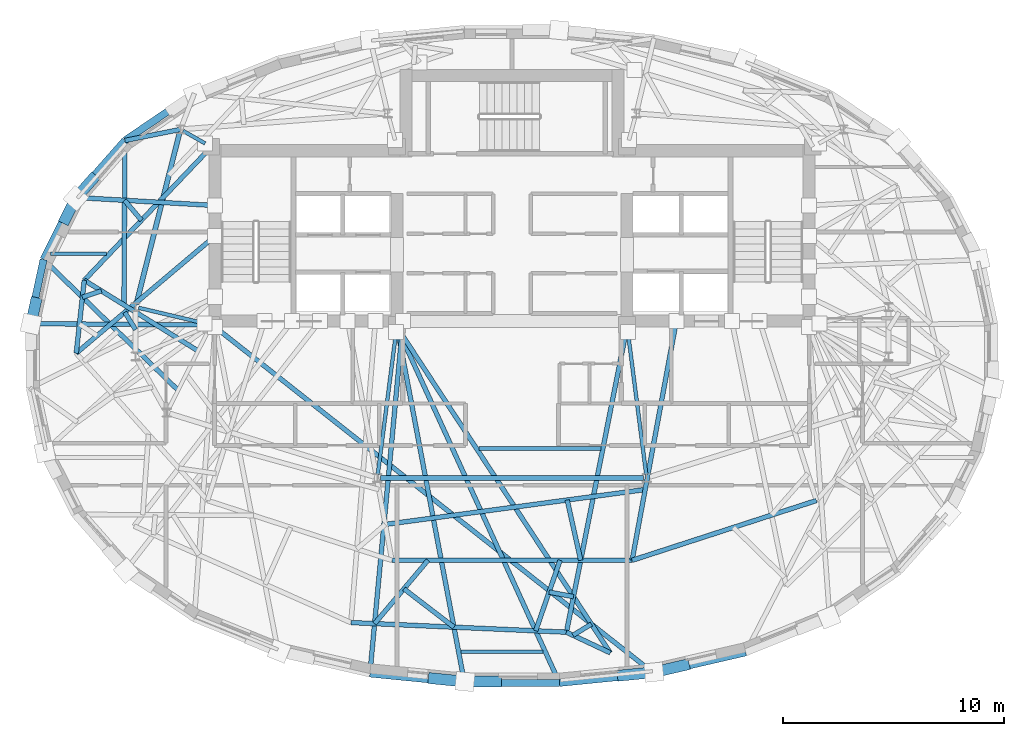
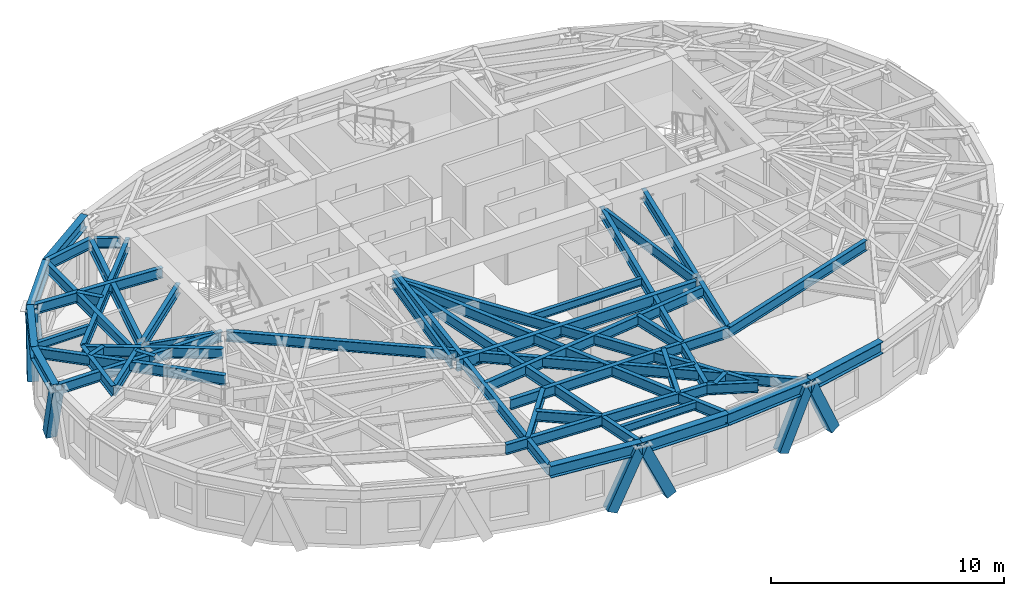
# One storey, part 2 of 13: 47 beams, 7 members.
"""IFC4 building model written with IfcOpenShell, lengths in metres."""

from ifc_helpers import new_model, si_unit, direction, frame, origin, origin_2d, place, context, subcontext, project, spatial, hollow_rectangle, i_section, extrude, material, material_profile, profile_set, type_object, element, save


model = new_model("IFC4")

# Units and contexts
model_context = context("Model", 3, precision=1e-05, world=origin(), true_north=direction((0.0, 1.0)))
body_context = subcontext(model_context, "Body", "Model", "MODEL_VIEW")
ifc_project = project(units=[si_unit("LENGTHUNIT", "METRE"), si_unit("AREAUNIT", "SQUARE_METRE"), si_unit("VOLUMEUNIT", "CUBIC_METRE"), si_unit("PLANEANGLEUNIT", "RADIAN"), si_unit("MASSUNIT", "GRAM", prefix="KILO")], contexts=[model_context])

# Site, building, storey
site_placement = place(None, origin())
site = spatial("IfcSite", under=ifc_project, at=site_placement, CompositionType="ELEMENT")
building_placement = place(site_placement, origin())
building = spatial("IfcBuilding", under=site, at=building_placement, Name="Keldmark Tower", CompositionType="ELEMENT")
storey_placement = place(building_placement, frame((0.0, 0.0, 241.5)))
storey = spatial("IfcBuildingStorey", under=building, at=storey_placement, Name="L68", CompositionType="ELEMENT", Elevation=241.5)

# Beams
ifc_material_1 = material(Name="Steel ASTM A992 Grade 50", Category="steel")
ifc_material_profile_1 = material_profile(ifc_material_1, i_section(OverallWidth=0.177978515625, OverallDepth=0.403076171875, WebThickness=0.007568359375, FlangeThickness=0.010986328125, at=origin_2d()), Name="W16X36")
ifc_profile_set_1 = profile_set([ifc_material_profile_1], Name="Steel ASTM A992 Grade 50")
beam_type_1 = type_object("IfcBeamType", Name="Composite Floor Joist W16X36", PredefinedType="JOIST", material=ifc_profile_set_1)
beam_1_placement = place(storey_placement, frame((-2.3173828125, -13.3798828125, 2.7685546875), z_axis=(1.0, 0.0, 0.0), x_axis=(0.0, 1.0, 0.0)))
element("IfcBeam", 1, at=beam_1_placement, inside=storey, type_object=beam_type_1, Name="L68 Composite Floor Joist J01", PredefinedType="JOIST", context=body_context, shape_type="SweptSolid", body=[
    extrude(i_section(OverallWidth=0.177978515625, OverallDepth=0.403076171875, WebThickness=0.007568359375, FlangeThickness=0.010986328125, at=origin_2d()), origin(), (0.0, 0.0, 1.0), 3.7158203125),
])
beam_2_placement = place(storey_placement, frame((-1.49658203125, -4.179931640625, 2.7685546875), z_axis=(1.0, 0.0, 0.0), x_axis=(0.0, 1.0, 0.0)))
element("IfcBeam", 2, at=beam_2_placement, inside=storey, type_object=beam_type_1, Name="L68 Composite Floor Joist J04", PredefinedType="JOIST", context=body_context, shape_type="SweptSolid", body=[
    extrude(i_section(OverallWidth=0.177978515625, OverallDepth=0.403076171875, WebThickness=0.007568359375, FlangeThickness=0.010986328125, at=origin_2d()), origin(), (0.0, 0.0, 1.0), 5.510986328125),
])
beam_3_placement = place(storey_placement, frame((-20.87939453125, 4.6201171875, 2.7685546875), z_axis=(1.0, 0.0, 0.0), x_axis=(0.0, 1.0, 0.0)))
element("IfcBeam", 3, at=beam_3_placement, inside=storey, type_object=beam_type_1, Name="L68 Composite Floor Joist J06", PredefinedType="JOIST", context=body_context, shape_type="SweptSolid", body=[
    extrude(i_section(OverallWidth=0.177978515625, OverallDepth=0.403076171875, WebThickness=0.007568359375, FlangeThickness=0.010986328125, at=origin_2d()), origin(), (0.0, 0.0, 1.0), 2.54443359375),
])

# Members
ifc_material_2 = material(Name="Steel ASTM A572 Grade 50", Category="steel")
ifc_material_profile_2 = material_profile(ifc_material_2, hollow_rectangle(XDim=0.5, YDim=0.5, WallThickness=0.030029296875, at=origin_2d()), Name="BOX500X500X30")
ifc_profile_set_2 = profile_set([ifc_material_profile_2], Name="Steel ASTM A572 Grade 50")
member_type = type_object("IfcMemberType", Name="Diagrid Upper Brace BOX500X500X30", PredefinedType="BRACE", material=ifc_profile_set_2)
member_1_placement = place(storey_placement, frame((-18.9716796875, 7.9873046875, -0.260009765625), z_axis=(-0.228311749469, -0.258959599672, 0.938516739751), x_axis=(0.750099356508, -0.661325151016, 0.0)))
element("IfcMember", 4, at=member_1_placement, inside=storey, type_object=member_type, Name="L68 Perimeter Diagrid Brace 07A", PredefinedType="BRACE", context=body_context, shape_type="SweptSolid", body=[
    extrude(hollow_rectangle(XDim=0.5, YDim=0.5, WallThickness=0.030029296875, at=origin_2d()), origin(), (0.0, 0.0, 1.0), 3.31396484375),
])
member_2_placement = place(storey_placement, frame((-20.191650390625, 6.202392578125, -0.260009765625), z_axis=(0.143201801896, 0.285362136141, 0.94766117109), x_axis=(-0.89377384963, 0.448517898993, 0.0)))
element("IfcMember", 5, at=member_2_placement, inside=storey, type_object=member_type, Name="L68 Perimeter Diagrid Brace 07B", PredefinedType="BRACE", context=body_context, shape_type="SweptSolid", body=[
    extrude(hollow_rectangle(XDim=0.5, YDim=0.5, WallThickness=0.030029296875, at=origin_2d()), origin(), (0.0, 0.0, 1.0), 3.281982421875),
])
member_3_placement = place(storey_placement, frame((-21.543701171875, 2.40625, -0.260009765625), z_axis=(-0.063809841383, -0.296308067664, 0.952958463512), x_axis=(0.977588814613, -0.210523418042, 0.0)))
element("IfcMember", 6, at=member_3_placement, inside=storey, type_object=member_type, Name="L68 Perimeter Diagrid Brace 08A", PredefinedType="BRACE", context=body_context, shape_type="SweptSolid", body=[
    extrude(hollow_rectangle(XDim=0.5, YDim=0.5, WallThickness=0.030029296875, at=origin_2d()), origin(), (0.0, 0.0, 1.0), 3.263671875),
])
member_4_placement = place(storey_placement, frame((-3.556640625, -14.590087890625, -0.260009765625), z_axis=(0.416434580065, -0.041279853083, 0.908228062909), x_axis=(0.09864340487, 0.995122846022, 0.0)))
element("IfcMember", 7, at=member_4_placement, inside=storey, type_object=member_type, Name="L68 Perimeter Diagrid Brace 12A", PredefinedType="BRACE", context=body_context, shape_type="SweptSolid", body=[
    extrude(hollow_rectangle(XDim=0.5, YDim=0.5, WallThickness=0.030029296875, at=origin_2d()), origin(), (0.0, 0.0, 1.0), 3.42431640625),
])
member_5_placement = place(storey_placement, frame((-0.710205078125, -14.72900390625, -0.260009765625), z_axis=(-0.418203376234, 0.0, 0.908353420264), x_axis=(0.0, -1.0, 0.0)))
element("IfcMember", 8, at=member_5_placement, inside=storey, type_object=member_type, Name="L68 Perimeter Diagrid Brace 12B", PredefinedType="BRACE", context=body_context, shape_type="SweptSolid", body=[
    extrude(hollow_rectangle(XDim=0.5, YDim=0.5, WallThickness=0.030029296875, at=origin_2d()), origin(), (0.0, 0.0, 1.0), 3.423828125),
])
member_6_placement = place(storey_placement, frame((4.994140625, -14.446533203125, -0.260009765625), z_axis=(0.416494733326, 0.041207455642, 0.908203767175), x_axis=(-0.098457996907, 0.99514120749, 0.0)))
element("IfcMember", 9, at=member_6_placement, inside=storey, type_object=member_type, Name="L68 Perimeter Diagrid Brace 13A", PredefinedType="BRACE", context=body_context, shape_type="SweptSolid", body=[
    extrude(hollow_rectangle(XDim=0.5, YDim=0.5, WallThickness=0.030029296875, at=origin_2d()), origin(), (0.0, 0.0, 1.0), 3.424560546875),
])
member_7_placement = place(storey_placement, frame((7.7900390625, -13.989013671875, -0.260009765625), z_axis=(-0.404144805703, -0.093214735144, 0.909932958616), x_axis=(0.224746304795, -0.974417312285, 0.0)))
element("IfcMember", 10, at=member_7_placement, inside=storey, type_object=member_type, Name="L68 Perimeter Diagrid Brace 13B", PredefinedType="BRACE", context=body_context, shape_type="SweptSolid", body=[
    extrude(hollow_rectangle(XDim=0.5, YDim=0.5, WallThickness=0.030029296875, at=origin_2d()), origin(), (0.0, 0.0, 1.0), 3.41796875),
])

# Beams
ifc_material_3 = material(Name="Steel ASTM A992 Grade 50", Category="steel")
ifc_material_profile_3 = material_profile(ifc_material_3, i_section(OverallWidth=0.22802734375, OverallDepth=0.60302734375, WebThickness=0.010498046875, FlangeThickness=0.014892578125, at=origin_2d()), Name="W24X68")
ifc_profile_set_3 = profile_set([ifc_material_profile_3], Name="Steel ASTM A992 Grade 50")
beam_type_2 = type_object("IfcBeamType", Name="Primary Floor Girder W24X68", PredefinedType="BEAM", material=ifc_profile_set_3)
beam_4_placement = place(storey_placement, frame((-15.030029296875, 10.10791015625, 2.66845703125), z_axis=(-0.244902129455, -0.969547805417, 0.0), x_axis=(0.969547805417, -0.244902129455, 0.0)))
element("IfcBeam", 11, at=beam_4_placement, inside=storey, type_object=beam_type_2, Name="L68 Floor Ring Girder FG-R05", PredefinedType="BEAM", context=body_context, shape_type="SweptSolid", body=[
    extrude(i_section(OverallWidth=0.22802734375, OverallDepth=0.60302734375, WebThickness=0.010498046875, FlangeThickness=0.014892578125, at=origin_2d()), origin(), (0.0, 0.0, 1.0), 8.008056640625),
])
beam_5_placement = place(storey_placement, frame((-5.949462890625, -5.512939453125, 2.66845703125), z_axis=(1.0, 0.0, 0.0), x_axis=(0.0, 1.0, 0.0)))
element("IfcBeam", 12, at=beam_5_placement, inside=storey, type_object=beam_type_2, Name="L68 Floor Ring Girder FG-R09", PredefinedType="BEAM", context=body_context, shape_type="SweptSolid", body=[
    extrude(i_section(OverallWidth=0.22802734375, OverallDepth=0.60302734375, WebThickness=0.010498046875, FlangeThickness=0.014892578125, at=origin_2d()), origin(), (0.0, 0.0, 1.0), 11.89892578125),
])
ifc_material_4 = material(Name="Steel ASTM A992 Grade 50", Category="steel")
ifc_material_profile_4 = material_profile(ifc_material_4, i_section(OverallWidth=0.166015625, OverallDepth=0.529052734375, WebThickness=0.009765625, FlangeThickness=0.013671875, at=origin_2d()), Name="W21X50")
ifc_profile_set_4 = profile_set([ifc_material_profile_4], Name="Steel ASTM A992 Grade 50")
beam_type_3 = type_object("IfcBeamType", Name="Radial Tie Girder W21X50", PredefinedType="BEAM", material=ifc_profile_set_4)
beam_6_placement = place(storey_placement, frame((-14.8740234375, 10.174560546875, 2.70556640625), z_axis=(0.869238046195, -0.494393789451, 0.0), x_axis=(0.494393789451, 0.869238046195, 0.0)))
element("IfcBeam", 13, at=beam_6_placement, inside=storey, type_object=beam_type_3, Name="L68 Floor Radial Girder FG-C05", PredefinedType="BEAM", context=body_context, shape_type="SweptSolid", body=[
    extrude(i_section(OverallWidth=0.166015625, OverallDepth=0.529052734375, WebThickness=0.009765625, FlangeThickness=0.013671875, at=origin_2d()), origin(), (0.0, 0.0, 1.0), 1.145751953125),
])
beam_7_placement = place(storey_placement, frame((-16.889404296875, 2.17578125, 2.70556640625), z_axis=(0.97329039005, -0.229577474147, 0.0), x_axis=(0.229577474147, 0.97329039005, 0.0)))
element("IfcBeam", 14, at=beam_7_placement, inside=storey, type_object=beam_type_3, Name="L68 Floor Radial Girder FG-C06", PredefinedType="BEAM", context=body_context, shape_type="SweptSolid", body=[
    extrude(i_section(OverallWidth=0.166015625, OverallDepth=0.529052734375, WebThickness=0.009765625, FlangeThickness=0.013671875, at=origin_2d()), origin(), (0.0, 0.0, 1.0), 3.0595703125),
])
for number, where, z_axis, x_axis, name in (
    (15, (-6.071533203125, -5.3740234375, 2.70556640625), (0.127625044513, 0.991822488157, 0.0), (-0.991822488157, 0.127625044513, 0.0), "L68 Floor Radial Girder FG-C09"),
    (16, (6.071533203125, -5.3740234375, 2.70556640625), (-0.127625044513, 0.991822488157, 0.0), (-0.991822488157, -0.127625044513, 0.0), "L68 Floor Radial Girder FG-C10"),
):
    element("IfcBeam", number, at=place(storey_placement, frame(where, z_axis=z_axis, x_axis=x_axis)), inside=storey, type_object=beam_type_3, Name=name, PredefinedType="BEAM", context=body_context, shape_type="SweptSolid", body=[
        extrude(i_section(OverallWidth=0.166015625, OverallDepth=0.529052734375, WebThickness=0.009765625, FlangeThickness=0.013671875, at=origin_2d()), origin(), (0.0, 0.0, 1.0), 6.509765625),
    ])
ifc_material_5 = material(Name="Steel ASTM A992 Grade 50", Category="steel")
ifc_material_profile_5 = material_profile(ifc_material_5, i_section(OverallWidth=0.2099609375, OverallDepth=0.537109375, WebThickness=0.010986328125, FlangeThickness=0.017333984375, at=origin_2d()), Name="W21X68")
ifc_profile_set_5 = profile_set([ifc_material_profile_5], Name="Steel ASTM A992 Grade 50")
beam_type_4 = type_object("IfcBeamType", Name="Radial Tie Girder W21X68", PredefinedType="BEAM", material=ifc_profile_set_5)
beam_8_placement = place(storey_placement, frame((-17.025634765625, 1.189697265625, 2.701416015625), z_axis=(-0.527856749406, 0.849333416337, 0.0), x_axis=(-0.849333416337, -0.527856749406, 0.0)))
element("IfcBeam", 17, at=beam_8_placement, inside=storey, type_object=beam_type_4, Name="L68 Framing Pin Header PH-001", PredefinedType="BEAM", context=body_context, shape_type="SweptSolid", body=[
    extrude(i_section(OverallWidth=0.2099609375, OverallDepth=0.537109375, WebThickness=0.010986328125, FlangeThickness=0.017333984375, at=origin_2d()), origin(), (0.0, 0.0, 1.0), 0.922607421875),
])
beam_9_placement = place(storey_placement, frame((-13.425048828125, 5.425048828125, 2.701416015625), z_axis=(-0.764059179504, -0.645146161901, 0.0), x_axis=(0.645146161901, -0.764059179504, 0.0)))
element("IfcBeam", 18, at=beam_9_placement, inside=storey, type_object=beam_type_4, Name="L68 Sub-Ring Step Girder STP1-M07", PredefinedType="BEAM", context=body_context, shape_type="SweptSolid", body=[
    extrude(i_section(OverallWidth=0.2099609375, OverallDepth=0.537109375, WebThickness=0.010986328125, FlangeThickness=0.017333984375, at=origin_2d()), origin(), (0.0, 0.0, 1.0), 8.224609375),
])
beam_10_placement = place(storey_placement, frame((-5.731201171875, -7.622314453125, 2.701416015625), z_axis=(0.991115173164, 0.133006441662, 0.0), x_axis=(-0.133006441662, 0.991115173164, 0.0)))
element("IfcBeam", 19, at=beam_10_placement, inside=storey, type_object=beam_type_4, Name="L68 Framing Pin Header PH-004", PredefinedType="BEAM", context=body_context, shape_type="SweptSolid", body=[
    extrude(i_section(OverallWidth=0.2099609375, OverallDepth=0.537109375, WebThickness=0.010986328125, FlangeThickness=0.017333984375, at=origin_2d()), origin(), (0.0, 0.0, 1.0), 11.859619140625),
])
beam_11_placement = place(storey_placement, frame((7.43212890625, 1.574951171875, 2.701416015625), z_axis=(-0.181862035839, -0.983324056413, 0.0), x_axis=(0.983324056413, -0.181862035839, 0.0)))
element("IfcBeam", 20, at=beam_11_placement, inside=storey, type_object=beam_type_4, Name="L68 Sub-Ring Step Girder STP1-M10", PredefinedType="BEAM", context=body_context, shape_type="SweptSolid", body=[
    extrude(i_section(OverallWidth=0.2099609375, OverallDepth=0.537109375, WebThickness=0.010986328125, FlangeThickness=0.017333984375, at=origin_2d()), origin(), (0.0, 0.0, 1.0), 11.004150390625),
])
beam_12_placement = place(storey_placement, frame((-5.430908203125, -9.24560546875, 2.701416015625), z_axis=(1.0, 0.0, 0.0), x_axis=(0.0, 1.0, 0.0)))
element("IfcBeam", 21, at=beam_12_placement, inside=storey, type_object=beam_type_4, Name="L68 Perimeter Collector Ring Beam CRG1-M09", PredefinedType="BEAM", context=body_context, shape_type="SweptSolid", body=[
    extrude(i_section(OverallWidth=0.2099609375, OverallDepth=0.537109375, WebThickness=0.010986328125, FlangeThickness=0.017333984375, at=origin_2d()), origin(), (0.0, 0.0, 1.0), 10.86181640625),
])
beam_13_placement = place(storey_placement, frame((5.430908203125, -9.24560546875, 2.701416015625), z_axis=(0.951190555886, 0.308604158094, 0.0), x_axis=(-0.308604158094, 0.951190555886, 0.0)))
element("IfcBeam", 22, at=beam_13_placement, inside=storey, type_object=beam_type_4, Name="L68 Perimeter Collector Ring Beam CRG1-M10", PredefinedType="BEAM", context=body_context, shape_type="SweptSolid", body=[
    extrude(i_section(OverallWidth=0.2099609375, OverallDepth=0.537109375, WebThickness=0.010986328125, FlangeThickness=0.017333984375, at=origin_2d()), origin(), (0.0, 0.0, 1.0), 8.763916015625),
])
beam_14_placement = place(storey_placement, frame((2.49658203125, -6.518310546875, 2.701416015625), z_axis=(0.218391640192, -0.975861205036, 0.0), x_axis=(0.975861205036, 0.218391640192, 0.0)))
element("IfcBeam", 23, at=beam_14_placement, inside=storey, type_object=beam_type_4, Name="L68 Framing Pin Header PH-010", PredefinedType="BEAM", context=body_context, shape_type="SweptSolid", body=[
    extrude(i_section(OverallWidth=0.2099609375, OverallDepth=0.537109375, WebThickness=0.010986328125, FlangeThickness=0.017333984375, at=origin_2d()), origin(), (0.0, 0.0, 1.0), 2.794677734375),
])
beam_15_placement = place(storey_placement, frame((5.199951171875, 1.300048828125, 2.701416015625), z_axis=(-0.194673845124, -0.980868030891, 0.0), x_axis=(0.980868030891, -0.194673845124, 0.0)))
element("IfcBeam", 24, at=beam_15_placement, inside=storey, type_object=beam_type_4, Name="L68 Sub-Ring Step Girder STP2-M10", PredefinedType="BEAM", context=body_context, shape_type="SweptSolid", body=[
    extrude(i_section(OverallWidth=0.2099609375, OverallDepth=0.537109375, WebThickness=0.010986328125, FlangeThickness=0.017333984375, at=origin_2d()), origin(), (0.0, 0.0, 1.0), 14.064697265625),
])
beam_16_placement = place(storey_placement, frame((-7.2841796875, -12.06103515625, 2.701416015625), z_axis=(0.99900738248, -0.044544918357, 0.0), x_axis=(0.044544918357, 0.99900738248, 0.0)))
element("IfcBeam", 25, at=beam_16_placement, inside=storey, type_object=beam_type_4, Name="L68 Perimeter Collector Ring Beam CRG2-M09", PredefinedType="BEAM", context=body_context, shape_type="SweptSolid", body=[
    extrude(i_section(OverallWidth=0.2099609375, OverallDepth=0.537109375, WebThickness=0.010986328125, FlangeThickness=0.017333984375, at=origin_2d()), origin(), (0.0, 0.0, 1.0), 9.755859375),
])
beam_17_placement = place(storey_placement, frame((-14.995849609375, 10.24365234375, 2.701416015625), z_axis=(-0.9805513071, -0.19626292096, 0.0), x_axis=(0.19626292096, -0.9805513071, 0.0)))
element("IfcBeam", 26, at=beam_17_placement, inside=storey, type_object=beam_type_4, Name="L68 Perimeter Column Bracket RT-13", PredefinedType="BEAM", context=body_context, shape_type="SweptSolid", body=[
    extrude(i_section(OverallWidth=0.2099609375, OverallDepth=0.537109375, WebThickness=0.010986328125, FlangeThickness=0.017333984375, at=origin_2d()), origin(), (0.0, 0.0, 1.0), 2.558837890625),
])
beam_18_placement = place(storey_placement, frame((-17.5048828125, 9.741455078125, 2.701416015625), z_axis=(-0.005976315955, -0.999982141664, 0.0), x_axis=(0.999982141664, -0.005976315955, 0.0)))
element("IfcBeam", 27, at=beam_18_placement, inside=storey, type_object=beam_type_4, Name="L68 Framing Pin Header PH-018", PredefinedType="BEAM", context=body_context, shape_type="SweptSolid", body=[
    extrude(i_section(OverallWidth=0.2099609375, OverallDepth=0.537109375, WebThickness=0.010986328125, FlangeThickness=0.017333984375, at=origin_2d()), origin(), (0.0, 0.0, 1.0), 7.43505859375),
])
beam_19_placement = place(storey_placement, frame((-14.197021484375, 0.225341796875, 2.701416015625), z_axis=(-0.849577264473, 0.52746418996, 0.0), x_axis=(-0.52746418996, -0.849577264473, 0.0)))
element("IfcBeam", 28, at=beam_19_placement, inside=storey, type_object=beam_type_4, Name="L68 Intermediate Radial Step Girder RT-15M", PredefinedType="BEAM", context=body_context, shape_type="SweptSolid", body=[
    extrude(i_section(OverallWidth=0.2099609375, OverallDepth=0.537109375, WebThickness=0.010986328125, FlangeThickness=0.017333984375, at=origin_2d()), origin(), (0.0, 0.0, 1.0), 6.057373046875),
])
beam_20_placement = place(storey_placement, frame((-19.709228515625, 0.118896484375, 2.701416015625), z_axis=(0.110173383311, 0.993912383266, 0.0), x_axis=(-0.993912383266, 0.110173383311, 0.0)))
element("IfcBeam", 29, at=beam_20_placement, inside=storey, type_object=beam_type_4, Name="L68 Local Collector Chord RT-15C", PredefinedType="BEAM", context=body_context, shape_type="SweptSolid", body=[
    extrude(i_section(OverallWidth=0.2099609375, OverallDepth=0.537109375, WebThickness=0.010986328125, FlangeThickness=0.017333984375, at=origin_2d()), origin(), (0.0, 0.0, 1.0), 3.32177734375),
])
beam_21_placement = place(storey_placement, frame((-18.5712890625, 2.941162109375, 2.701416015625), z_axis=(-0.947325582596, -0.320272135159, 0.0), x_axis=(0.320272135159, -0.947325582596, 0.0)))
element("IfcBeam", 30, at=beam_21_placement, inside=storey, type_object=beam_type_4, Name="L68 Framing Pin Header PH-019", PredefinedType="BEAM", context=body_context, shape_type="SweptSolid", body=[
    extrude(i_section(OverallWidth=0.2099609375, OverallDepth=0.537109375, WebThickness=0.010986328125, FlangeThickness=0.017333984375, at=origin_2d()), origin(), (0.0, 0.0, 1.0), 0.90478515625),
])
beam_22_placement = place(storey_placement, frame((-15.100830078125, -1.55322265625, 2.701416015625), z_axis=(-0.717222249337, 0.6968444913, 0.0), x_axis=(-0.6968444913, -0.717222249337, 0.0)))
element("IfcBeam", 31, at=beam_22_placement, inside=storey, type_object=beam_type_4, Name="L68 Perimeter Radial Tie Girder RT-15", PredefinedType="BEAM", context=body_context, shape_type="SweptSolid", body=[
    extrude(i_section(OverallWidth=0.2099609375, OverallDepth=0.537109375, WebThickness=0.010986328125, FlangeThickness=0.017333984375, at=origin_2d()), origin(), (0.0, 0.0, 1.0), 8.482421875),
])
beam_23_placement = place(storey_placement, frame((-13.60009765625, 1.39990234375, 2.701416015625), z_axis=(-0.999976198415, 0.006899464031, 0.0), x_axis=(-0.006899464031, -0.999976198415, 0.0)))
element("IfcBeam", 32, at=beam_23_placement, inside=storey, type_object=beam_type_4, Name="L68 Perimeter Radial Tie Girder RT-16", PredefinedType="BEAM", context=body_context, shape_type="SweptSolid", body=[
    extrude(i_section(OverallWidth=0.2099609375, OverallDepth=0.537109375, WebThickness=0.010986328125, FlangeThickness=0.017333984375, at=origin_2d()), origin(), (0.0, 0.0, 1.0), 8.20947265625),
])
beam_24_placement = place(storey_placement, frame((-3.8017578125, -9.24560546875, 2.701416015625), z_axis=(-0.644274307171, -0.76479449339, 0.0), x_axis=(0.76479449339, -0.644274307171, 0.0)))
element("IfcBeam", 33, at=beam_24_placement, inside=storey, type_object=beam_type_4, Name="L68 Framing Pin Header PH-027", PredefinedType="BEAM", context=body_context, shape_type="SweptSolid", body=[
    extrude(i_section(OverallWidth=0.2099609375, OverallDepth=0.537109375, WebThickness=0.010986328125, FlangeThickness=0.017333984375, at=origin_2d()), origin(), (0.0, 0.0, 1.0), 3.74365234375),
])
beam_25_placement = place(storey_placement, frame((-4.925048828125, 1.574951171875, 2.701416015625), z_axis=(-0.09376489152, -0.995594367761, 0.0), x_axis=(0.995594367761, -0.09376489152, 0.0)))
element("IfcBeam", 34, at=beam_25_placement, inside=storey, type_object=beam_type_4, Name="L68 Perimeter Radial Tie Girder RT-23", PredefinedType="BEAM", context=body_context, shape_type="SweptSolid", body=[
    extrude(i_section(OverallWidth=0.2099609375, OverallDepth=0.537109375, WebThickness=0.010986328125, FlangeThickness=0.017333984375, at=origin_2d()), origin(), (0.0, 0.0, 1.0), 16.010498046875),
])
beam_26_placement = place(storey_placement, frame((-4.88720703125, -10.533935546875, 2.701416015625), z_axis=(0.793362245365, -0.608749823514, 0.0), x_axis=(0.608749823514, 0.793362245365, 0.0)))
element("IfcBeam", 35, at=beam_26_placement, inside=storey, type_object=beam_type_4, Name="L68 Framing Pin Header PH-028", PredefinedType="BEAM", context=body_context, shape_type="SweptSolid", body=[
    extrude(i_section(OverallWidth=0.2099609375, OverallDepth=0.537109375, WebThickness=0.010986328125, FlangeThickness=0.017333984375, at=origin_2d()), origin(), (0.0, 0.0, 1.0), 2.849853515625),
])
beam_27_placement = place(storey_placement, frame((-5.199951171875, 1.300048828125, 2.701416015625), z_axis=(0.186372854094, -0.982479088458, 0.0), x_axis=(0.982479088458, 0.186372854094, 0.0)))
element("IfcBeam", 36, at=beam_27_placement, inside=storey, type_object=beam_type_4, Name="L68 Perimeter Radial Tie Girder RT-24", PredefinedType="BEAM", context=body_context, shape_type="SweptSolid", body=[
    extrude(i_section(OverallWidth=0.2099609375, OverallDepth=0.537109375, WebThickness=0.010986328125, FlangeThickness=0.017333984375, at=origin_2d()), origin(), (0.0, 0.0, 1.0), 16.375732421875),
])
beam_28_placement = place(storey_placement, frame((2.17236328125, -9.24560546875, 2.701416015625), z_axis=(-0.326200390309, -0.945300642844, 0.0), x_axis=(0.945300642844, -0.326200390309, 0.0)))
element("IfcBeam", 37, at=beam_28_placement, inside=storey, type_object=beam_type_4, Name="L68 Framing Pin Header PH-029", PredefinedType="BEAM", context=body_context, shape_type="SweptSolid", body=[
    extrude(i_section(OverallWidth=0.2099609375, OverallDepth=0.537109375, WebThickness=0.010986328125, FlangeThickness=0.017333984375, at=origin_2d()), origin(), (0.0, 0.0, 1.0), 3.37255859375),
])
beam_29_placement = place(storey_placement, frame((-5.199951171875, 1.300048828125, 2.701416015625), z_axis=(0.415431897984, -0.909624284052, 0.0), x_axis=(0.909624284052, 0.415431897984, 0.0)))
element("IfcBeam", 38, at=beam_29_placement, inside=storey, type_object=beam_type_4, Name="L68 Perimeter Radial Tie Girder RT-25", PredefinedType="BEAM", context=body_context, shape_type="SweptSolid", body=[
    extrude(i_section(OverallWidth=0.2099609375, OverallDepth=0.537109375, WebThickness=0.010986328125, FlangeThickness=0.017333984375, at=origin_2d()), origin(), (0.0, 0.0, 1.0), 17.687255859375),
])
beam_30_placement = place(storey_placement, frame((1.677490234375, -10.68017578125, 2.701416015625), z_axis=(0.982448762566, -0.186532648436, 0.0), x_axis=(0.186532648436, 0.982448762566, 0.0)))
element("IfcBeam", 39, at=beam_30_placement, inside=storey, type_object=beam_type_4, Name="L68 Framing Pin Header PH-030", PredefinedType="BEAM", context=body_context, shape_type="SweptSolid", body=[
    extrude(i_section(OverallWidth=0.2099609375, OverallDepth=0.537109375, WebThickness=0.010986328125, FlangeThickness=0.017333984375, at=origin_2d()), origin(), (0.0, 0.0, 1.0), 1.123046875),
])
beam_31_placement = place(storey_placement, frame((-5.199951171875, 1.300048828125, 2.701416015625), z_axis=(0.547749891834, -0.836642131378, 0.0), x_axis=(0.836642131378, 0.547749891834, 0.0)))
element("IfcBeam", 40, at=beam_31_placement, inside=storey, type_object=beam_type_4, Name="L68 Intermediate Radial Step Girder RT-26M", PredefinedType="BEAM", context=body_context, shape_type="SweptSolid", body=[
    extrude(i_section(OverallWidth=0.2099609375, OverallDepth=0.537109375, WebThickness=0.010986328125, FlangeThickness=0.017333984375, at=origin_2d()), origin(), (0.0, 0.0, 1.0), 17.606689453125),
])
beam_32_placement = place(storey_placement, frame((2.4619140625, -12.49560546875, 2.701416015625), z_axis=(0.904462408637, -0.42655333941, 0.0), x_axis=(0.42655333941, 0.904462408637, 0.0)))
element("IfcBeam", 41, at=beam_32_placement, inside=storey, type_object=beam_type_4, Name="L68 Local Collector Chord RT-26C", PredefinedType="BEAM", context=body_context, shape_type="SweptSolid", body=[
    extrude(i_section(OverallWidth=0.2099609375, OverallDepth=0.537109375, WebThickness=0.010986328125, FlangeThickness=0.017333984375, at=origin_2d()), origin(), (0.0, 0.0, 1.0), 2.191650390625),
])
beam_33_placement = place(storey_placement, frame((2.75927734375, -12.6357421875, 2.701416015625), z_axis=(0.853937318709, 0.52037587926, 0.0), x_axis=(-0.52037587926, 0.853937318709, 0.0)))
element("IfcBeam", 42, at=beam_33_placement, inside=storey, type_object=beam_type_4, Name="L68 Framing Pin Header PH-031", PredefinedType="BEAM", context=body_context, shape_type="SweptSolid", body=[
    extrude(i_section(OverallWidth=0.2099609375, OverallDepth=0.537109375, WebThickness=0.010986328125, FlangeThickness=0.017333984375, at=origin_2d()), origin(), (0.0, 0.0, 1.0), 0.974853515625),
])
beam_34_placement = place(storey_placement, frame((-13.425048828125, 1.300048828125, 2.701416015625), z_axis=(0.785018420689, -0.619472420031, 0.0), x_axis=(0.619472420031, 0.785018420689, 0.0)))
element("IfcBeam", 43, at=beam_34_placement, inside=storey, type_object=beam_type_4, Name="L68 Perimeter Radial Tie Girder RT-26", PredefinedType="BEAM", context=body_context, shape_type="SweptSolid", body=[
    extrude(i_section(OverallWidth=0.2099609375, OverallDepth=0.537109375, WebThickness=0.010986328125, FlangeThickness=0.017333984375, at=origin_2d()), origin(), (0.0, 0.0, 1.0), 25.28759765625),
])
beam_35_placement = place(storey_placement, frame((-13.60009765625, 9.449951171875, 2.701416015625), z_axis=(-0.689702025718, -0.724093305949, 0.0), x_axis=(0.724093305949, -0.689702025718, 0.0)))
element("IfcBeam", 44, at=beam_35_placement, inside=storey, type_object=beam_type_4, Name="L68 Straddling Support Chord RT-14RB", PredefinedType="BEAM", context=body_context, shape_type="SweptSolid", body=[
    extrude(i_section(OverallWidth=0.2099609375, OverallDepth=0.537109375, WebThickness=0.010986328125, FlangeThickness=0.017333984375, at=origin_2d()), origin(), (0.0, 0.0, 1.0), 8.326904296875),
])
beam_36_placement = place(storey_placement, frame((-16.7587890625, 6.1337890625, 2.701416015625), z_axis=(-0.644987840784, 0.764192832498, 0.0), x_axis=(-0.764192832498, -0.644987840784, 0.0)))
element("IfcBeam", 45, at=beam_36_placement, inside=storey, type_object=beam_type_4, Name="L68 Framing Pin Header PH-044", PredefinedType="BEAM", context=body_context, shape_type="SweptSolid", body=[
    extrude(i_section(OverallWidth=0.2099609375, OverallDepth=0.537109375, WebThickness=0.010986328125, FlangeThickness=0.017333984375, at=origin_2d()), origin(), (0.0, 0.0, 1.0), 1.181640625),
])
beam_37_placement = place(storey_placement, frame((-13.425048828125, 6.800048828125, 2.701416015625), z_axis=(-0.998332122383, 0.057731909876, 0.0), x_axis=(-0.057731909876, -0.998332122383, 0.0)))
element("IfcBeam", 46, at=beam_37_placement, inside=storey, type_object=beam_type_4, Name="L68 Perimeter Radial Tie Girder RT-14R", PredefinedType="BEAM", context=body_context, shape_type="SweptSolid", body=[
    extrude(i_section(OverallWidth=0.2099609375, OverallDepth=0.537109375, WebThickness=0.010986328125, FlangeThickness=0.017333984375, at=origin_2d()), origin(), (0.0, 0.0, 1.0), 6.360107421875),
])
ifc_material_6 = material(Name="Steel ASTM A992 Grade 50", Category="steel")
ifc_material_profile_6 = material_profile(ifc_material_6, i_section(OverallWidth=0.326904296875, OverallDepth=0.6220703125, WebThickness=0.015380859375, FlangeThickness=0.0244140625, at=origin_2d()), Name="W24X131")
ifc_profile_set_6 = profile_set([ifc_material_profile_6], Name="Steel ASTM A992 Grade 50")
beam_type_5 = type_object("IfcBeamType", Name="Spandrel Ring Beam W24X131", PredefinedType="SPANDREL", material=ifc_profile_set_6)
beam_38_placement = place(storey_placement, frame((-14.365966796875, 11.8701171875, 2.658935546875), z_axis=(-0.827637036896, -0.561263694851, 0.0), x_axis=(0.561263694851, -0.827637036896, 0.0)))
element("IfcBeam", 47, at=beam_38_placement, inside=storey, type_object=beam_type_5, Name="L68 Perimeter Spandrel Ring Beam SRB-12", PredefinedType="SPANDREL", context=body_context, shape_type="SweptSolid", body=[
    extrude(i_section(OverallWidth=0.326904296875, OverallDepth=0.6220703125, WebThickness=0.015380859375, FlangeThickness=0.0244140625, at=origin_2d()), origin(), (0.0, 0.0, 1.0), 3.792724609375),
])
beam_39_placement = place(storey_placement, frame((-17.5048828125, 9.741455078125, 2.658935546875), z_axis=(-0.66136043846, -0.750068243855, 0.0), x_axis=(0.750068243855, -0.66136043846, 0.0)))
element("IfcBeam", 48, at=beam_39_placement, inside=storey, type_object=beam_type_5, Name="L68 Perimeter Spandrel Ring Beam SRB-13", PredefinedType="SPANDREL", context=body_context, shape_type="SweptSolid", body=[
    extrude(i_section(OverallWidth=0.326904296875, OverallDepth=0.6220703125, WebThickness=0.015380859375, FlangeThickness=0.0244140625, at=origin_2d()), origin(), (0.0, 0.0, 1.0), 3.431884765625),
])
beam_40_placement = place(storey_placement, frame((-19.774658203125, 7.167236328125, 2.658935546875), z_axis=(-0.448517898993, -0.89377384963, 0.0), x_axis=(0.89377384963, -0.448517898993, 0.0)))
element("IfcBeam", 49, at=beam_40_placement, inside=storey, type_object=beam_type_5, Name="L68 Perimeter Spandrel Ring Beam SRB-14", PredefinedType="SPANDREL", context=body_context, shape_type="SweptSolid", body=[
    extrude(i_section(OverallWidth=0.326904296875, OverallDepth=0.6220703125, WebThickness=0.015380859375, FlangeThickness=0.0244140625, at=origin_2d()), origin(), (0.0, 0.0, 1.0), 3.1435546875),
])
beam_41_placement = place(storey_placement, frame((-21.1845703125, 4.357666015625, 2.658935546875), z_axis=(-0.210523418042, -0.977588814613, 0.0), x_axis=(0.977588814613, -0.210523418042, 0.0)))
element("IfcBeam", 50, at=beam_41_placement, inside=storey, type_object=beam_type_5, Name="L68 Perimeter Spandrel Ring Beam SRB-15", PredefinedType="SPANDREL", context=body_context, shape_type="SweptSolid", body=[
    extrude(i_section(OverallWidth=0.326904296875, OverallDepth=0.6220703125, WebThickness=0.015380859375, FlangeThickness=0.0244140625, at=origin_2d()), origin(), (0.0, 0.0, 1.0), 2.967529296875),
])
beam_42_placement = place(storey_placement, frame((-6.42626953125, -14.364990234375, 2.658935546875), z_axis=(0.995128970973, -0.098581596303, 0.0), x_axis=(0.098581596303, 0.995128970973, 0.0)))
element("IfcBeam", 51, at=beam_42_placement, inside=storey, type_object=beam_type_5, Name="L68 Perimeter Spandrel Ring Beam SRB-23", PredefinedType="SPANDREL", context=body_context, shape_type="SweptSolid", body=[
    extrude(i_section(OverallWidth=0.326904296875, OverallDepth=0.6220703125, WebThickness=0.015380859375, FlangeThickness=0.0244140625, at=origin_2d()), origin(), (0.0, 0.0, 1.0), 4.29931640625),
])
beam_43_placement = place(storey_placement, frame((-2.14794921875, -14.788818359375, 2.658935546875), z_axis=(1.0, 0.0, 0.0), x_axis=(0.0, 1.0, 0.0)))
element("IfcBeam", 52, at=beam_43_placement, inside=storey, type_object=beam_type_5, Name="L68 Perimeter Spandrel Ring Beam SRB-24", PredefinedType="SPANDREL", context=body_context, shape_type="SweptSolid", body=[
    extrude(i_section(OverallWidth=0.326904296875, OverallDepth=0.6220703125, WebThickness=0.015380859375, FlangeThickness=0.0244140625, at=origin_2d()), origin(), (0.0, 0.0, 1.0), 4.2958984375),
])
beam_44_placement = place(storey_placement, frame((2.14794921875, -14.788818359375, 2.658935546875), z_axis=(0.995128970973, 0.098581596303, 0.0), x_axis=(-0.098581596303, 0.995128970973, 0.0)))
element("IfcBeam", 53, at=beam_44_placement, inside=storey, type_object=beam_type_5, Name="L68 Perimeter Spandrel Ring Beam SRB-25", PredefinedType="SPANDREL", context=body_context, shape_type="SweptSolid", body=[
    extrude(i_section(OverallWidth=0.326904296875, OverallDepth=0.6220703125, WebThickness=0.015380859375, FlangeThickness=0.0244140625, at=origin_2d()), origin(), (0.0, 0.0, 1.0), 4.29931640625),
])
beam_45_placement = place(storey_placement, frame((6.42626953125, -14.364990234375, 2.658935546875), z_axis=(0.974411512007, 0.224771451185, 0.0), x_axis=(-0.224771451185, 0.974411512007, 0.0)))
element("IfcBeam", 54, at=beam_45_placement, inside=storey, type_object=beam_type_5, Name="L68 Perimeter Spandrel Ring Beam SRB-26", PredefinedType="SPANDREL", context=body_context, shape_type="SweptSolid", body=[
    extrude(i_section(OverallWidth=0.326904296875, OverallDepth=0.6220703125, WebThickness=0.015380859375, FlangeThickness=0.0244140625, at=origin_2d()), origin(), (0.0, 0.0, 1.0), 4.25244140625),
])

save(model, "model.ifc")
